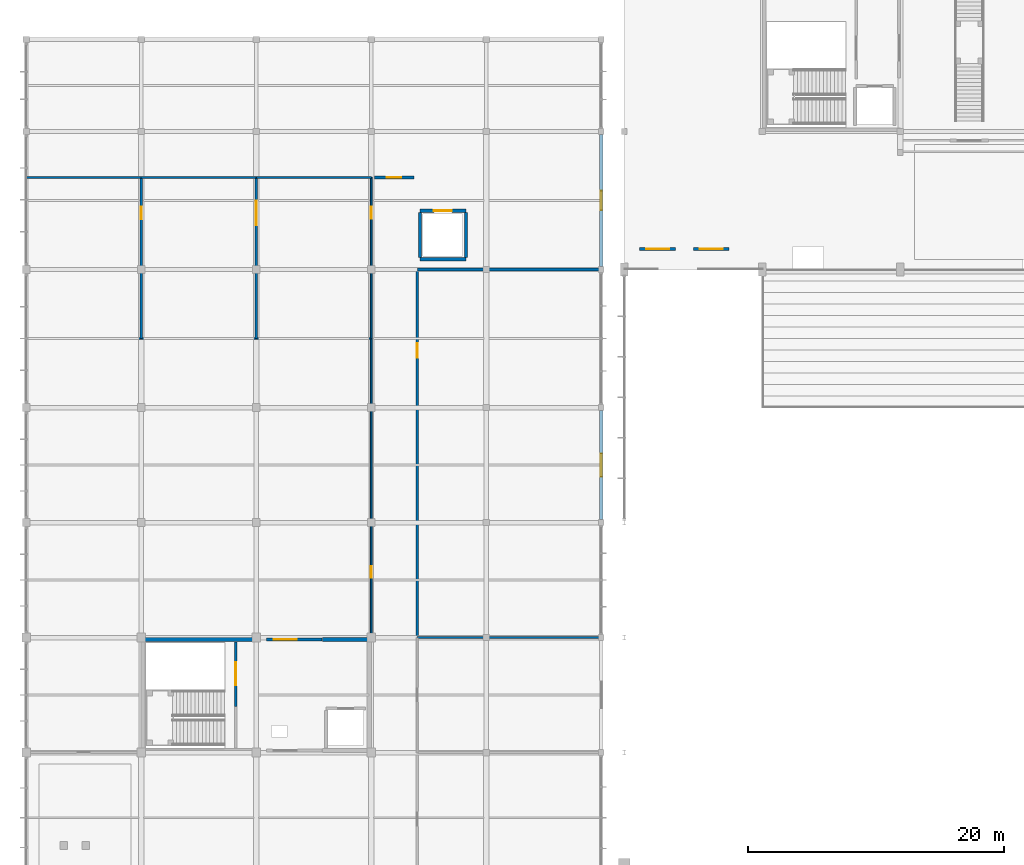
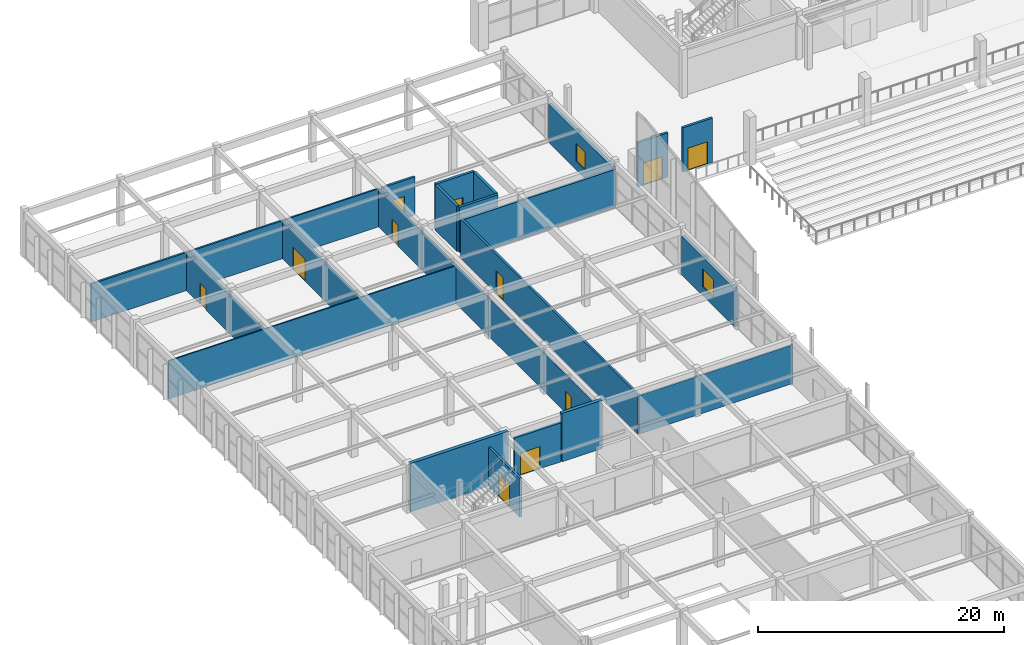
# One storey, part 51 of 74: 24 walls, 11 doors, 2 windows, 13 openings.
"""IFC4 building model written with IfcOpenShell, lengths in metres."""

from ifc_helpers import new_model, si_unit, direction, frame, frame_2d, origin, place, context, subcontext, project, spatial, rectangle, extrude, material, layer, layer_set, type_object, element, fill, save


model = new_model("IFC4")

# Units and contexts
model_context = context("Model", 3, precision=1e-05, world=origin(), true_north=direction((0.0, 1.0)))
body_context = subcontext(model_context, "Body", "Model", "MODEL_VIEW")
ifc_project = project(units=[si_unit("LENGTHUNIT", "METRE"), si_unit("AREAUNIT", "SQUARE_METRE"), si_unit("VOLUMEUNIT", "CUBIC_METRE"), si_unit("PLANEANGLEUNIT", "RADIAN"), si_unit("MASSUNIT", "GRAM", prefix="KILO")], contexts=[model_context])

# Site, building, storey
site_placement = place(None, origin())
site = spatial("IfcSite", under=ifc_project, at=site_placement, CompositionType="ELEMENT")
building_placement = place(site_placement, origin())
building = spatial("IfcBuilding", under=site, at=building_placement, Name="Suirenkawa Promenade Aquatics Centre", CompositionType="ELEMENT")
storey_placement = place(building_placement, frame((0.0, 0.0, 4.800048828125)))
storey = spatial("IfcBuildingStorey", under=building, at=storey_placement, Name="L01", CompositionType="ELEMENT", Elevation=4.800048828125)

# Wall, opening, door
ifc_material_1 = material(Name="Autoclaved aerated concrete blockwork Grade 1", Category="masonry")
ifc_layer_1 = layer(ifc_material_1, 0.199951171875, Name="Autoclaved aerated concrete blockwork Grade 1", Category="masonry")
ifc_layer_set_1 = layer_set([ifc_layer_1], Name="Autoclaved aerated concrete blockwork Grade 1")
wall_type_1 = type_object("IfcWallType", Name="WT-COMP-200", PredefinedType="PARTITIONING", material=ifc_layer_set_1)
wall_1_placement = place(storey_placement, frame((27.25, 104.39990234375, 0.0), z_axis=(0.0, 0.0, 1.0), x_axis=(1.0, 0.0, 0.0)))
wall_1 = element("IfcWall", 1, at=wall_1_placement, inside=storey, type_object=wall_type_1, Name="Interior wall WL-PRT-01 W-7164", PredefinedType="PARTITIONING", context=body_context, shape_type="SweptSolid", body=[
    extrude(rectangle(XDim=3.10009765625, YDim=0.199951171875, at=frame_2d((1.550048828125, 0.0))), origin(), (0.0, 0.0, 1.0), 3.77490234375),
])
opening_1_placement = place(wall_1_placement, frame((0.949951171875, 0.0, 0.0)))
opening_1 = element("IfcOpeningElement", 2, at=opening_1_placement, cuts=wall_1, Name="Opening ID-03", PredefinedType="OPENING", context=body_context, shape_type="SweptSolid", body=[
    extrude(rectangle(XDim=1.14990234375, YDim=2.199951171875, at=frame_2d((0.574951171875, 1.10009765625))), frame((0.0, 0.10986328125, 0.0), z_axis=(0.0, -1.0, 0.0), x_axis=(1.0, 0.0, 0.0)), (0.0, 0.0, 1.0), 0.219970703125),
])
ifc_material_2 = material(Name="Steel IS 2062 E350 (Grade 350)", Category="steel")
door_type_1 = type_object("IfcDoorType", Name="DT-FD120-1150x2200", OperationType="NOTDEFINED", PredefinedType="DOOR", material=ifc_material_2)
door_1_placement = place(opening_1_placement, origin())
door_1 = element("IfcDoor", 3, at=door_1_placement, inside=storey, type_object=door_type_1, Name="Interior door ID-03 DR-INT-0101", OperationType="SINGLE_SWING_RIGHT", OverallHeight=2.199951171875, OverallWidth=1.14990234375, PredefinedType="DOOR", context=body_context, shape_type="SweptSolid", body=[
    extrude(rectangle(XDim=1.14990234375, YDim=2.199951171875, at=frame_2d((0.574951171875, 1.10009765625))), frame((0.0, 0.02490234375, 0.0), z_axis=(0.0, -1.0, 0.0), x_axis=(1.0, 0.0, 0.0)), (0.0, 0.0, 1.0), 0.050048828125),
])
fill(opening_1, door_1)

wall_2_placement = place(storey_placement, frame((30.60009765625, 68.39990234375, 0.0), z_axis=(0.0, 0.0, 1.0), x_axis=(0.0, 1.0, 0.0)))
wall_2 = element("IfcWall", 4, at=wall_2_placement, inside=storey, type_object=wall_type_1, Name="Interior wall WL-PRT-01 W-7250", PredefinedType="PARTITIONING", context=body_context, shape_type="SweptSolid", body=[
    extrude(rectangle(XDim=28.800048828125, YDim=0.199951171875, at=frame_2d((14.39990234375, 0.0))), origin(), (0.0, 0.0, 1.0), 3.875),
])
opening_2_placement = place(wall_2_placement, frame((21.888916015625, 0.0, 0.0)))
opening_2 = element("IfcOpeningElement", 5, at=opening_2_placement, cuts=wall_2, Name="Opening ID-03", PredefinedType="OPENING", context=body_context, shape_type="SweptSolid", body=[
    extrude(rectangle(XDim=1.14990234375, YDim=2.199951171875, at=frame_2d((0.574951171875, 1.10009765625))), frame((0.0, 0.10986328125, 0.0), z_axis=(0.0, -1.0, 0.0), x_axis=(1.0, 0.0, 0.0)), (0.0, 0.0, 1.0), 0.219970703125),
])
door_2_placement = place(opening_2_placement, origin())
door_2 = element("IfcDoor", 6, at=door_2_placement, inside=storey, type_object=door_type_1, Name="Interior door ID-03 DR-INT-0151", OperationType="SINGLE_SWING_LEFT", OverallHeight=2.199951171875, OverallWidth=1.14990234375, PredefinedType="DOOR", context=body_context, shape_type="SweptSolid", body=[
    extrude(rectangle(XDim=1.14990234375, YDim=2.199951171875, at=frame_2d((0.574951171875, 1.10009765625))), frame((0.0, 0.02490234375, 0.0), z_axis=(0.0, -1.0, 0.0), x_axis=(1.0, 0.0, 0.0)), (0.0, 0.0, 1.0), 0.050048828125),
])
fill(opening_2, door_2)

# Walls
wall_3_placement = place(storey_placement, frame((30.60009765625, 97.199951171875, 0.0), z_axis=(0.0, 0.0, 1.0), x_axis=(1.0, 0.0, 0.0)))
element("IfcWall", 7, at=wall_3_placement, inside=storey, type_object=wall_type_1, Name="Interior wall WL-PRT-01 W-7251", PredefinedType="PARTITIONING", context=body_context, shape_type="SweptSolid", body=[
    extrude(rectangle(XDim=14.39990234375, YDim=0.199951171875, at=frame_2d((7.199951171875, 0.0))), origin(), (0.0, 0.0, 1.0), 3.77490234375),
])
ifc_material_3 = material(Name="Concrete M40", Category="concrete")
ifc_layer_2 = layer(ifc_material_3, 0.320068359375, Name="Concrete M40", Category="concrete")
ifc_layer_set_2 = layer_set([ifc_layer_2], Name="Concrete M40")
wall_type_2 = type_object("IfcWallType", Name="WT-CORE-320", PredefinedType="SHEAR", material=ifc_layer_set_2)
wall_4_placement = place(storey_placement, frame((9.0, 68.239990234375, 0.0), z_axis=(0.0, 0.0, 1.0), x_axis=(1.0, 0.0, 0.0)))
element("IfcWall", 8, at=wall_4_placement, inside=storey, type_object=wall_type_2, Name="C2 north core wall WL-CORE-01 W-0088", PredefinedType="SHEAR", context=body_context, shape_type="SweptSolid", body=[
    extrude(rectangle(XDim=9.199951171875, YDim=0.320068359375, at=frame_2d((4.60009765625, 0.0))), origin(), (0.0, 0.0, 1.0), 4.800048828125),
])
wall_5_placement = place(storey_placement, frame((23.199951171875, 68.239990234375, 0.0), z_axis=(0.0, 0.0, 1.0), x_axis=(1.0, 0.0, 0.0)))
element("IfcWall", 9, at=wall_5_placement, inside=storey, type_object=wall_type_2, Name="C2 north shaft wall WL-CORE-01 W-0089", PredefinedType="SHEAR", context=body_context, shape_type="SweptSolid", body=[
    extrude(rectangle(XDim=3.800048828125, YDim=0.320068359375, at=frame_2d((1.89990234375, 0.0))), origin(), (0.0, 0.0, 1.0), 4.800048828125),
])

# Wall, opening, window
ifc_layer_3 = layer(ifc_material_3, 0.2900390625, Name="Concrete M40", Category="concrete")
ifc_layer_set_3 = layer_set([ifc_layer_3], Name="Concrete M40")
wall_type_3 = type_object("IfcWallType", Name="WT-EXT-290", PredefinedType="SOLIDWALL", material=ifc_layer_set_3)
wall_6_placement = place(storey_placement, frame((45.0, 86.169921875, 0.0), z_axis=(0.0, 0.0, 1.0), x_axis=(0.0, -1.0, 0.0)))
wall_6 = element("IfcWall", 10, at=wall_6_placement, inside=storey, type_object=wall_type_3, Name="Exterior wall WL-EXT-03 W-5107", PredefinedType="SOLIDWALL", context=body_context, shape_type="SweptSolid", body=[
    extrude(rectangle(XDim=8.5400390625, YDim=0.2900390625, at=frame_2d((4.27001953125, 0.0))), origin(), (0.0, 0.0, 1.0), 3.824951171875),
])
opening_3_placement = place(wall_6_placement, frame((3.3701171875, 0.0, 0.85009765625)))
opening_3 = element("IfcOpeningElement", 11, at=opening_3_placement, cuts=wall_6, Name="Opening WN-20", PredefinedType="OPENING", context=body_context, shape_type="SweptSolid", body=[
    extrude(rectangle(XDim=1.800048828125, YDim=1.800048828125, at=frame_2d((0.89990234375, 0.89990234375))), frame((0.0, 0.155029296875, 0.0), z_axis=(0.0, -1.0, 0.0), x_axis=(1.0, 0.0, 0.0)), (0.0, 0.0, 1.0), 0.31005859375),
])
ifc_material_4 = material(Name="Low-E thermally broken double glazing", Category="glass")
window_type_1 = type_object("IfcWindowType", Name="WNT-TALL-1800x1800", PartitioningType="SINGLE_PANEL", PredefinedType="WINDOW", material=ifc_material_4)
window_1_placement = place(opening_3_placement, origin())
window_1 = element("IfcWindow", 12, at=window_1_placement, inside=storey, type_object=window_type_1, Name="Window WN-20 WN-0049", OverallHeight=1.800048828125, OverallWidth=1.800048828125, PartitioningType="SINGLE_PANEL", PredefinedType="WINDOW", context=body_context, shape_type="SweptSolid", body=[
    extrude(rectangle(XDim=1.800048828125, YDim=1.800048828125, at=frame_2d((0.89990234375, 0.89990234375))), frame((0.0, 0.030029296875, 0.0), z_axis=(0.0, -1.0, 0.0), x_axis=(1.0, 0.0, 0.0)), (0.0, 0.0, 1.0), 0.06005859375),
])
fill(opening_3, window_1)

wall_7_placement = place(storey_placement, frame((45.0, 107.77001953125, 0.0), z_axis=(0.0, 0.0, 1.0), x_axis=(0.0, -1.0, 0.0)))
wall_7 = element("IfcWall", 13, at=wall_7_placement, inside=storey, type_object=wall_type_3, Name="Exterior wall WL-EXT-03 W-5108", PredefinedType="SOLIDWALL", context=body_context, shape_type="SweptSolid", body=[
    extrude(rectangle(XDim=10.340087890625, YDim=0.2900390625, at=frame_2d((5.169921875, 0.0))), origin(), (0.0, 0.0, 1.0), 3.824951171875),
])
opening_4_placement = place(wall_7_placement, frame((4.419921875, 0.0, 0.85009765625)))
opening_4 = element("IfcOpeningElement", 14, at=opening_4_placement, cuts=wall_7, Name="Opening WN-21", PredefinedType="OPENING", context=body_context, shape_type="SweptSolid", body=[
    extrude(rectangle(XDim=1.5, YDim=1.800048828125, at=frame_2d((0.75, 0.89990234375))), frame((0.0, 0.155029296875, 0.0), z_axis=(0.0, -1.0, 0.0), x_axis=(1.0, 0.0, 0.0)), (0.0, 0.0, 1.0), 0.31005859375),
])
window_type_2 = type_object("IfcWindowType", Name="WNT-TALL-1500x1800", PartitioningType="SINGLE_PANEL", PredefinedType="WINDOW", material=ifc_material_4)
window_2_placement = place(opening_4_placement, origin())
window_2 = element("IfcWindow", 15, at=window_2_placement, inside=storey, type_object=window_type_2, Name="Window WN-21 WN-0050", OverallHeight=1.800048828125, OverallWidth=1.5, PartitioningType="SINGLE_PANEL", PredefinedType="WINDOW", context=body_context, shape_type="SweptSolid", body=[
    extrude(rectangle(XDim=1.5, YDim=1.800048828125, at=frame_2d((0.75, 0.89990234375))), frame((0.0, 0.030029296875, 0.0), z_axis=(0.0, -1.0, 0.0), x_axis=(1.0, 0.0, 0.0)), (0.0, 0.0, 1.0), 0.06005859375),
])
fill(opening_4, window_2)

# Wall, opening, door
ifc_layer_4 = layer(ifc_material_1, 0.179931640625, Name="Autoclaved aerated concrete blockwork Grade 1", Category="masonry")
ifc_layer_set_4 = layer_set([ifc_layer_4], Name="Autoclaved aerated concrete blockwork Grade 1")
wall_type_4 = type_object("IfcWallType", Name="WT-FIRE-180", PredefinedType="PARTITIONING", material=ifc_layer_set_4)
wall_8_placement = place(storey_placement, frame((9.0, 91.800048828125, 0.0), z_axis=(0.0, 0.0, 1.0), x_axis=(0.0, 1.0, 0.0)))
wall_8 = element("IfcWall", 16, at=wall_8_placement, inside=storey, type_object=wall_type_4, Name="Interior wall WL-PRT-02 W-7252", PredefinedType="PARTITIONING", context=body_context, shape_type="SweptSolid", body=[
    extrude(rectangle(XDim=12.599853515625, YDim=0.179931640625, at=frame_2d((6.2998046875, 0.0))), origin(), (0.0, 0.0, 1.0), 3.77490234375),
])
opening_5_placement = place(wall_8_placement, frame((9.327880859375, 0.0, 0.0)))
opening_5 = element("IfcOpeningElement", 17, at=opening_5_placement, cuts=wall_8, Name="Opening ID-07", PredefinedType="OPENING", context=body_context, shape_type="SweptSolid", body=[
    extrude(rectangle(XDim=1.0, YDim=2.10009765625, at=frame_2d((0.5, 1.050048828125))), frame((0.0, 0.099853515625, 0.0), z_axis=(0.0, -1.0, 0.0), x_axis=(1.0, 0.0, 0.0)), (0.0, 0.0, 1.0), 0.199951171875),
])
ifc_material_5 = material(Name="Engineered maple acoustic sports timber", Category="wood")
door_type_2 = type_object("IfcDoorType", Name="DT-FD60-1000x2100", OperationType="NOTDEFINED", PredefinedType="DOOR", material=ifc_material_5)
door_3_placement = place(opening_5_placement, origin())
door_3 = element("IfcDoor", 18, at=door_3_placement, inside=storey, type_object=door_type_2, Name="Interior door ID-07 DR-INT-0152", OperationType="SINGLE_SWING_RIGHT", OverallHeight=2.10009765625, OverallWidth=1.0, PredefinedType="DOOR", context=body_context, shape_type="SweptSolid", body=[
    extrude(rectangle(XDim=1.0, YDim=2.10009765625, at=frame_2d((0.5, 1.050048828125))), frame((0.0, 0.02490234375, 0.0), z_axis=(0.0, -1.0, 0.0), x_axis=(1.0, 0.0, 0.0)), (0.0, 0.0, 1.0), 0.050048828125),
])
fill(opening_5, door_3)

# Wall
wall_9_placement = place(storey_placement, frame((0.0, 104.39990234375, 0.0), z_axis=(0.0, 0.0, 1.0), x_axis=(1.0, 0.0, 0.0)))
element("IfcWall", 19, at=wall_9_placement, inside=storey, type_object=wall_type_4, Name="Interior wall WL-PRT-02 W-7253", PredefinedType="PARTITIONING", context=body_context, shape_type="SweptSolid", body=[
    extrude(rectangle(XDim=9.0, YDim=0.179931640625, at=frame_2d((4.5, 0.0))), origin(), (0.0, 0.0, 1.0), 3.77490234375),
])

# Wall, opening, door
ifc_material_6 = material(Name="Moisture-resistant acoustic gypsum board")
ifc_layer_5 = layer(ifc_material_6, 0.1201171875, Name="Moisture-resistant acoustic gypsum board")
ifc_layer_set_5 = layer_set([ifc_layer_5], Name="Moisture-resistant acoustic gypsum board")
wall_type_5 = type_object("IfcWallType", Name="WT-LIGHT-120", PredefinedType="PARTITIONING", material=ifc_layer_set_5)
wall_10_placement = place(storey_placement, frame((27.0, 68.39990234375, 0.0), z_axis=(0.0, 0.0, 1.0), x_axis=(0.0, 1.0, 0.0)))
wall_10 = element("IfcWall", 20, at=wall_10_placement, inside=storey, type_object=wall_type_5, Name="Interior wall WL-PRT-05 W-7248", PredefinedType="PARTITIONING", context=body_context, shape_type="SweptSolid", body=[
    extrude(rectangle(XDim=23.400146484375, YDim=0.1201171875, at=frame_2d((11.7001953125, 0.0))), origin(), (0.0, 0.0, 1.0), 3.77490234375),
])
opening_6_placement = place(wall_10_placement, frame((4.697998046875, 0.0, 0.0)))
opening_6 = element("IfcOpeningElement", 21, at=opening_6_placement, cuts=wall_10, Name="Opening ID-12", PredefinedType="OPENING", context=body_context, shape_type="SweptSolid", body=[
    extrude(rectangle(XDim=0.89990234375, YDim=2.10009765625, at=frame_2d((0.449951171875, 1.050048828125))), frame((0.0, 0.070068359375, 0.0), z_axis=(0.0, -1.0, 0.0), x_axis=(1.0, 0.0, 0.0)), (0.0, 0.0, 1.0), 0.14013671875),
])
door_type_3 = type_object("IfcDoorType", Name="DT-STD-900x2100", OperationType="NOTDEFINED", PredefinedType="DOOR", material=ifc_material_5)
door_4_placement = place(opening_6_placement, origin())
door_4 = element("IfcDoor", 22, at=door_4_placement, inside=storey, type_object=door_type_3, Name="Interior door ID-12 DR-INT-0150", OperationType="SINGLE_SWING_RIGHT", OverallHeight=2.10009765625, OverallWidth=0.89990234375, PredefinedType="DOOR", context=body_context, shape_type="SweptSolid", body=[
    extrude(rectangle(XDim=0.89990234375, YDim=2.10009765625, at=frame_2d((0.449951171875, 1.050048828125))), frame((0.0, 0.02490234375, 0.0), z_axis=(0.0, -1.0, 0.0), x_axis=(1.0, 0.0, 0.0)), (0.0, 0.0, 1.0), 0.050048828125),
])
fill(opening_6, door_4)

# Wall
wall_11_placement = place(storey_placement, frame((0.0, 91.800048828125, 0.0), z_axis=(0.0, 0.0, 1.0), x_axis=(1.0, 0.0, 0.0)))
element("IfcWall", 23, at=wall_11_placement, inside=storey, type_object=wall_type_5, Name="Interior wall WL-PRT-05 W-7249", PredefinedType="PARTITIONING", context=body_context, shape_type="SweptSolid", body=[
    extrude(rectangle(XDim=27.0, YDim=0.1201171875, at=frame_2d((13.5, 0.0))), origin(), (0.0, 0.0, 1.0), 3.77490234375),
])

# Wall, opening, door
ifc_material_7 = material(Name="Concrete M35", Category="concrete")
ifc_layer_6 = layer(ifc_material_7, 0.219970703125, Name="Concrete M35", Category="concrete")
ifc_layer_set_6 = layer_set([ifc_layer_6], Name="Concrete M35")
wall_type_6 = type_object("IfcWallType", Name="WT-LOBBY-220", PredefinedType="PARTITIONING", material=ifc_layer_set_6)
wall_12_placement = place(storey_placement, frame((16.39990234375, 68.050048828125, 0.0), z_axis=(0.0, 0.0, 1.0), x_axis=(0.0, -1.0, 0.0)))
wall_12 = element("IfcWall", 24, at=wall_12_placement, inside=storey, type_object=wall_type_6, Name="Interior wall WL-LOB-01 W-7048", PredefinedType="PARTITIONING", context=body_context, shape_type="SweptSolid", body=[
    extrude(rectangle(XDim=5.050048828125, YDim=0.219970703125, at=frame_2d((2.52490234375, 0.0))), origin(), (0.0, 0.0, 1.0), 3.875),
])
opening_7_placement = place(wall_12_placement, frame((1.60009765625, 0.0, 0.0)))
opening_7 = element("IfcOpeningElement", 25, at=opening_7_placement, cuts=wall_12, Name="Opening ID-02", PredefinedType="OPENING", context=body_context, shape_type="SweptSolid", body=[
    extrude(rectangle(XDim=1.800048828125, YDim=2.199951171875, at=frame_2d((0.89990234375, 1.10009765625))), frame((0.0, 0.119873046875, 0.0), z_axis=(0.0, -1.0, 0.0), x_axis=(1.0, 0.0, 0.0)), (0.0, 0.0, 1.0), 0.239990234375),
])
door_type_4 = type_object("IfcDoorType", Name="DT-FD120-1800x2200", OperationType="DOUBLE_DOOR_SINGLE_SWING", PredefinedType="DOOR", material=ifc_material_2)
door_5_placement = place(opening_7_placement, origin())
door_5 = element("IfcDoor", 26, at=door_5_placement, inside=storey, type_object=door_type_4, Name="Interior door ID-02 DR-INT-0032", OperationType="DOUBLE_DOOR_SINGLE_SWING", OverallHeight=2.199951171875, OverallWidth=1.800048828125, PredefinedType="DOOR", context=body_context, shape_type="SweptSolid", body=[
    extrude(rectangle(XDim=1.800048828125, YDim=2.199951171875, at=frame_2d((0.89990234375, 1.10009765625))), frame((0.0, 0.02490234375, 0.0), z_axis=(0.0, -1.0, 0.0), x_axis=(1.0, 0.0, 0.0)), (0.0, 0.0, 1.0), 0.050048828125),
])
fill(opening_7, door_5)

wall_13_placement = place(storey_placement, frame((18.800048828125, 68.239990234375, 0.0), z_axis=(0.0, 0.0, 1.0), x_axis=(1.0, 0.0, 0.0)))
wall_13 = element("IfcWall", 27, at=wall_13_placement, inside=storey, type_object=wall_type_6, Name="Interior wall WL-LOB-01 W-7053", PredefinedType="PARTITIONING", context=body_context, shape_type="SweptSolid", body=[
    extrude(rectangle(XDim=4.349853515625, YDim=0.219970703125, at=frame_2d((2.1748046875, 0.0))), origin(), (0.0, 0.0, 1.0), 3.875),
])
opening_8_placement = place(wall_13_placement, frame((0.550048828125, 0.0, 0.0)))
opening_8 = element("IfcOpeningElement", 28, at=opening_8_placement, cuts=wall_13, Name="Opening ID-02", PredefinedType="OPENING", context=body_context, shape_type="SweptSolid", body=[
    extrude(rectangle(XDim=1.800048828125, YDim=2.199951171875, at=frame_2d((0.89990234375, 1.10009765625))), frame((0.0, 0.119873046875, 0.0), z_axis=(0.0, -1.0, 0.0), x_axis=(1.0, 0.0, 0.0)), (0.0, 0.0, 1.0), 0.239990234375),
])
door_6_placement = place(opening_8_placement, origin())
door_6 = element("IfcDoor", 29, at=door_6_placement, inside=storey, type_object=door_type_4, Name="Interior door ID-02 DR-INT-0035", OperationType="DOUBLE_DOOR_SINGLE_SWING", OverallHeight=2.199951171875, OverallWidth=1.800048828125, PredefinedType="DOOR", context=body_context, shape_type="SweptSolid", body=[
    extrude(rectangle(XDim=1.800048828125, YDim=2.199951171875, at=frame_2d((0.89990234375, 1.10009765625))), frame((0.0, 0.02490234375, 0.0), z_axis=(0.0, -1.0, 0.0), x_axis=(1.0, 0.0, 0.0)), (0.0, 0.0, 1.0), 0.050048828125),
])
fill(opening_8, door_6)

wall_14_placement = place(storey_placement, frame((48.0, 98.800048828125, 0.0), z_axis=(0.0, 0.0, 1.0), x_axis=(1.0, 0.0, 0.0)))
wall_14 = element("IfcWall", 30, at=wall_14_placement, inside=storey, type_object=wall_type_6, Name="Interior wall WL-LOB-01 W-7392", PredefinedType="PARTITIONING", context=body_context, shape_type="SweptSolid", body=[
    extrude(rectangle(XDim=2.800048828125, YDim=0.219970703125, at=frame_2d((1.39990234375, 0.0))), origin(), (0.0, 0.0, 1.0), 4.385009765625),
])
opening_9_placement = place(wall_14_placement, frame((0.5, 0.0, 0.0)))
opening_9 = element("IfcOpeningElement", 31, at=opening_9_placement, cuts=wall_14, Name="Opening ID-02", PredefinedType="OPENING", context=body_context, shape_type="SweptSolid", body=[
    extrude(rectangle(XDim=1.800048828125, YDim=2.199951171875, at=frame_2d((0.89990234375, 1.10009765625))), frame((0.0, 0.119873046875, 0.0), z_axis=(0.0, -1.0, 0.0), x_axis=(1.0, 0.0, 0.0)), (0.0, 0.0, 1.0), 0.239990234375),
])
door_7_placement = place(opening_9_placement, origin())
door_7 = element("IfcDoor", 32, at=door_7_placement, inside=storey, type_object=door_type_4, Name="Interior door ID-02 DR-INT-0228", OperationType="DOUBLE_DOOR_SINGLE_SWING", OverallHeight=2.199951171875, OverallWidth=1.800048828125, PredefinedType="DOOR", context=body_context, shape_type="SweptSolid", body=[
    extrude(rectangle(XDim=1.800048828125, YDim=2.199951171875, at=frame_2d((0.89990234375, 1.10009765625))), frame((0.0, 0.02490234375, 0.0), z_axis=(0.0, -1.0, 0.0), x_axis=(1.0, 0.0, 0.0)), (0.0, 0.0, 1.0), 0.050048828125),
])
fill(opening_9, door_7)

wall_15_placement = place(storey_placement, frame((52.199951171875, 98.800048828125, 0.0), z_axis=(0.0, 0.0, 1.0), x_axis=(1.0, 0.0, 0.0)))
wall_15 = element("IfcWall", 33, at=wall_15_placement, inside=storey, type_object=wall_type_6, Name="Interior wall WL-LOB-01 W-7393", PredefinedType="PARTITIONING", context=body_context, shape_type="SweptSolid", body=[
    extrude(rectangle(XDim=2.800048828125, YDim=0.219970703125, at=frame_2d((1.39990234375, 0.0))), origin(), (0.0, 0.0, 1.0), 4.385009765625),
])
opening_10_placement = place(wall_15_placement, frame((0.5, 0.0, 0.0)))
opening_10 = element("IfcOpeningElement", 34, at=opening_10_placement, cuts=wall_15, Name="Opening ID-02", PredefinedType="OPENING", context=body_context, shape_type="SweptSolid", body=[
    extrude(rectangle(XDim=1.800048828125, YDim=2.199951171875, at=frame_2d((0.89990234375, 1.10009765625))), frame((0.0, 0.119873046875, 0.0), z_axis=(0.0, -1.0, 0.0), x_axis=(1.0, 0.0, 0.0)), (0.0, 0.0, 1.0), 0.239990234375),
])
door_8_placement = place(opening_10_placement, origin())
door_8 = element("IfcDoor", 35, at=door_8_placement, inside=storey, type_object=door_type_4, Name="Interior door ID-02 DR-INT-0229", OperationType="DOUBLE_DOOR_SINGLE_SWING", OverallHeight=2.199951171875, OverallWidth=1.800048828125, PredefinedType="DOOR", context=body_context, shape_type="SweptSolid", body=[
    extrude(rectangle(XDim=1.800048828125, YDim=2.199951171875, at=frame_2d((0.89990234375, 1.10009765625))), frame((0.0, 0.02490234375, 0.0), z_axis=(0.0, -1.0, 0.0), x_axis=(1.0, 0.0, 0.0)), (0.0, 0.0, 1.0), 0.050048828125),
])
fill(opening_10, door_8)

ifc_layer_7 = layer(ifc_material_3, 0.239990234375, Name="Concrete M40", Category="concrete")
ifc_layer_set_7 = layer_set([ifc_layer_7], Name="Concrete M40")
wall_type_7 = type_object("IfcWallType", Name="WT-SHAFT-240", PredefinedType="SOLIDWALL", material=ifc_layer_set_7)
wall_16_placement = place(storey_placement, frame((30.800048828125, 101.800048828125, 0.0), z_axis=(0.0, 0.0, 1.0), x_axis=(1.0, 0.0, 0.0)))
wall_16 = element("IfcWall", 36, at=wall_16_placement, inside=storey, type_object=wall_type_7, Name="Interior wall WL-SHF-01 W-7159", PredefinedType="SOLIDWALL", context=body_context, shape_type="SweptSolid", body=[
    extrude(rectangle(XDim=3.599853515625, YDim=0.239990234375, at=frame_2d((1.7998046875, 0.0))), origin(), (0.0, 0.0, 1.0), 4.48486328125),
])
opening_11_placement = place(wall_16_placement, frame((1.10009765625, 0.0, 0.0)))
opening_11 = element("IfcOpeningElement", 37, at=opening_11_placement, cuts=wall_16, Name="Opening LD-03", PredefinedType="OPENING", context=body_context, shape_type="SweptSolid", body=[
    extrude(rectangle(XDim=1.39990234375, YDim=2.300048828125, at=frame_2d((0.699951171875, 1.14990234375))), frame((0.0, 0.1298828125, 0.0), z_axis=(0.0, -1.0, 0.0), x_axis=(1.0, 0.0, 0.0)), (0.0, 0.0, 1.0), 0.260009765625),
])
ifc_material_8 = material(Name="Marine-grade stainless steel Grade 316L", Category="steel")
door_type_5 = type_object("IfcDoorType", Name="DT-LIFT-1400x2300", OperationType="DOUBLE_DOOR_SLIDING", PredefinedType="DOOR", material=ifc_material_8)
door_9_placement = place(opening_11_placement, origin())
door_9 = element("IfcDoor", 38, at=door_9_placement, inside=storey, type_object=door_type_5, Name="Landing door LD-03 DR-INT-0099", OperationType="DOUBLE_DOOR_SLIDING", OverallHeight=2.300048828125, OverallWidth=1.39990234375, PredefinedType="DOOR", context=body_context, shape_type="SweptSolid", body=[
    extrude(rectangle(XDim=1.39990234375, YDim=2.300048828125, at=frame_2d((0.699951171875, 1.14990234375))), frame((0.0, 0.02490234375, 0.0), z_axis=(0.0, -1.0, 0.0), x_axis=(1.0, 0.0, 0.0)), (0.0, 0.0, 1.0), 0.050048828125),
])
fill(opening_11, door_9)

# Walls
wall_17_placement = place(storey_placement, frame((30.800048828125, 98.0, 0.0), z_axis=(0.0, 0.0, 1.0), x_axis=(1.0, 0.0, 0.0)))
element("IfcWall", 39, at=wall_17_placement, inside=storey, type_object=wall_type_7, Name="Interior wall WL-SHF-01 W-7160", PredefinedType="SOLIDWALL", context=body_context, shape_type="SweptSolid", body=[
    extrude(rectangle(XDim=3.599853515625, YDim=0.239990234375, at=frame_2d((1.7998046875, 0.0))), origin(), (0.0, 0.0, 1.0), 4.48486328125),
])
for number, where, z_axis, x_axis, name in (
    (40, (30.800048828125, 98.14990234375, 0.0), (0.0, 0.0, 1.0), (0.0, 1.0, 0.0), "Interior wall WL-SHF-01 W-7161"),
    (41, (34.39990234375, 98.14990234375, 0.0), (0.0, 0.0, 1.0), (0.0, 1.0, 0.0), "Interior wall WL-SHF-01 W-7162"),
):
    element("IfcWall", number, at=place(storey_placement, frame(where, z_axis=z_axis, x_axis=x_axis)), inside=storey, type_object=wall_type_7, Name=name, PredefinedType="SOLIDWALL", context=body_context, shape_type="SweptSolid", body=[
        extrude(rectangle(XDim=3.5, YDim=0.239990234375, at=frame_2d((1.75, 0.0))), origin(), (0.0, 0.0, 1.0), 4.48486328125),
    ])
ifc_layer_8 = layer(ifc_material_6, 0.139892578125, Name="Moisture-resistant acoustic gypsum board")
ifc_layer_set_8 = layer_set([ifc_layer_8], Name="Moisture-resistant acoustic gypsum board")
wall_type_8 = type_object("IfcWallType", Name="WT-STD-140", PredefinedType="PARTITIONING", material=ifc_layer_set_8)
wall_18_placement = place(storey_placement, frame((30.60009765625, 68.39990234375, 0.0), z_axis=(0.0, 0.0, 1.0), x_axis=(1.0, 0.0, 0.0)))
element("IfcWall", 42, at=wall_18_placement, inside=storey, type_object=wall_type_8, Name="Interior wall WL-PRT-04 W-7247", PredefinedType="PARTITIONING", context=body_context, shape_type="SweptSolid", body=[
    extrude(rectangle(XDim=14.39990234375, YDim=0.139892578125, at=frame_2d((7.199951171875, 0.0))), origin(), (0.0, 0.0, 1.0), 3.824951171875),
])

# Wall, opening, door
wall_19_placement = place(storey_placement, frame((27.0, 91.800048828125, 0.0), z_axis=(0.0, 0.0, 1.0), x_axis=(0.0, 1.0, 0.0)))
wall_19 = element("IfcWall", 43, at=wall_19_placement, inside=storey, type_object=wall_type_8, Name="Interior wall WL-PRT-04 W-7256", PredefinedType="PARTITIONING", context=body_context, shape_type="SweptSolid", body=[
    extrude(rectangle(XDim=12.599853515625, YDim=0.139892578125, at=frame_2d((6.2998046875, 0.0))), origin(), (0.0, 0.0, 1.0), 3.77490234375),
])
opening_12_placement = place(wall_19_placement, frame((9.35302734375, 0.0, 0.0)))
opening_12 = element("IfcOpeningElement", 44, at=opening_12_placement, cuts=wall_19, Name="Opening ID-11", PredefinedType="OPENING", context=body_context, shape_type="SweptSolid", body=[
    extrude(rectangle(XDim=0.949951171875, YDim=2.10009765625, at=frame_2d((0.47509765625, 1.050048828125))), frame((0.0, 0.079833984375, 0.0), z_axis=(0.0, -1.0, 0.0), x_axis=(1.0, 0.0, 0.0)), (0.0, 0.0, 1.0), 0.159912109375),
])
door_type_6 = type_object("IfcDoorType", Name="DT-STD-950x2100", OperationType="NOTDEFINED", PredefinedType="DOOR", material=ifc_material_5)
door_10_placement = place(opening_12_placement, origin())
door_10 = element("IfcDoor", 45, at=door_10_placement, inside=storey, type_object=door_type_6, Name="Interior door ID-11 DR-INT-0154", OperationType="SINGLE_SWING_LEFT", OverallHeight=2.10009765625, OverallWidth=0.949951171875, PredefinedType="DOOR", context=body_context, shape_type="SweptSolid", body=[
    extrude(rectangle(XDim=0.949951171875, YDim=2.10009765625, at=frame_2d((0.47509765625, 1.050048828125))), frame((0.0, 0.02490234375, 0.0), z_axis=(0.0, -1.0, 0.0), x_axis=(1.0, 0.0, 0.0)), (0.0, 0.0, 1.0), 0.050048828125),
])
fill(opening_12, door_10)

# Wall
wall_20_placement = place(storey_placement, frame((18.0, 104.39990234375, 0.0), z_axis=(0.0, 0.0, 1.0), x_axis=(1.0, 0.0, 0.0)))
element("IfcWall", 46, at=wall_20_placement, inside=storey, type_object=wall_type_8, Name="Interior wall WL-PRT-04 W-7257", PredefinedType="PARTITIONING", context=body_context, shape_type="SweptSolid", body=[
    extrude(rectangle(XDim=9.0, YDim=0.139892578125, at=frame_2d((4.5, 0.0))), origin(), (0.0, 0.0, 1.0), 3.77490234375),
])

# Wall, opening, door
ifc_layer_9 = layer(ifc_material_1, 0.159912109375, Name="Autoclaved aerated concrete blockwork Grade 1", Category="masonry")
ifc_layer_set_9 = layer_set([ifc_layer_9], Name="Autoclaved aerated concrete blockwork Grade 1")
wall_type_9 = type_object("IfcWallType", Name="WT-WET-160", PredefinedType="PARTITIONING", material=ifc_layer_set_9)
wall_21_placement = place(storey_placement, frame((18.0, 91.800048828125, 0.0), z_axis=(0.0, 0.0, 1.0), x_axis=(0.0, 1.0, 0.0)))
wall_21 = element("IfcWall", 47, at=wall_21_placement, inside=storey, type_object=wall_type_9, Name="Interior wall WL-PRT-03 W-7254", PredefinedType="PARTITIONING", context=body_context, shape_type="SweptSolid", body=[
    extrude(rectangle(XDim=12.599853515625, YDim=0.159912109375, at=frame_2d((6.2998046875, 0.0))), origin(), (0.0, 0.0, 1.0), 3.77490234375),
])
opening_13_placement = place(wall_21_placement, frame((8.8779296875, 0.0, 0.0)))
opening_13 = element("IfcOpeningElement", 48, at=opening_13_placement, cuts=wall_21, Name="Opening DR-FD60", PredefinedType="OPENING", context=body_context, shape_type="SweptSolid", body=[
    extrude(rectangle(XDim=1.89990234375, YDim=2.199951171875, at=frame_2d((0.949951171875, 1.10009765625))), frame((0.0, 0.08984375, 0.0), z_axis=(0.0, -1.0, 0.0), x_axis=(1.0, 0.0, 0.0)), (0.0, 0.0, 1.0), 0.179931640625),
])
door_type_7 = type_object("IfcDoorType", Name="DT-FD60-1900x2200", OperationType="DOUBLE_DOOR_SINGLE_SWING", PredefinedType="DOOR", material=ifc_material_5)
door_11_placement = place(opening_13_placement, origin())
door_11 = element("IfcDoor", 49, at=door_11_placement, inside=storey, type_object=door_type_7, Name="Interior door DR-FD60 DR-INT-0153", OperationType="DOUBLE_DOOR_SINGLE_SWING", OverallHeight=2.199951171875, OverallWidth=1.89990234375, PredefinedType="DOOR", context=body_context, shape_type="SweptSolid", body=[
    extrude(rectangle(XDim=1.89990234375, YDim=2.199951171875, at=frame_2d((0.949951171875, 1.10009765625))), frame((0.0, 0.02490234375, 0.0), z_axis=(0.0, -1.0, 0.0), x_axis=(1.0, 0.0, 0.0)), (0.0, 0.0, 1.0), 0.050048828125),
])
fill(opening_13, door_11)

# Wall
wall_22_placement = place(storey_placement, frame((9.0, 104.39990234375, 0.0), z_axis=(0.0, 0.0, 1.0), x_axis=(1.0, 0.0, 0.0)))
element("IfcWall", 50, at=wall_22_placement, inside=storey, type_object=wall_type_9, Name="Interior wall WL-PRT-03 W-7255", PredefinedType="PARTITIONING", context=body_context, shape_type="SweptSolid", body=[
    extrude(rectangle(XDim=9.0, YDim=0.159912109375, at=frame_2d((4.5, 0.0))), origin(), (0.0, 0.0, 1.0), 3.77490234375),
])

save(model, "model.ifc")
